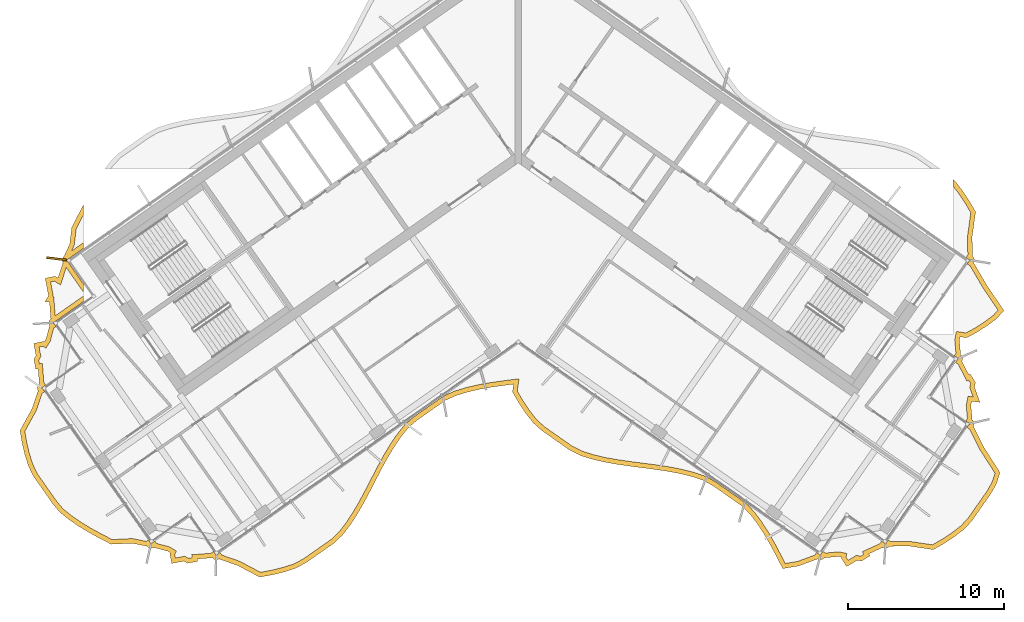
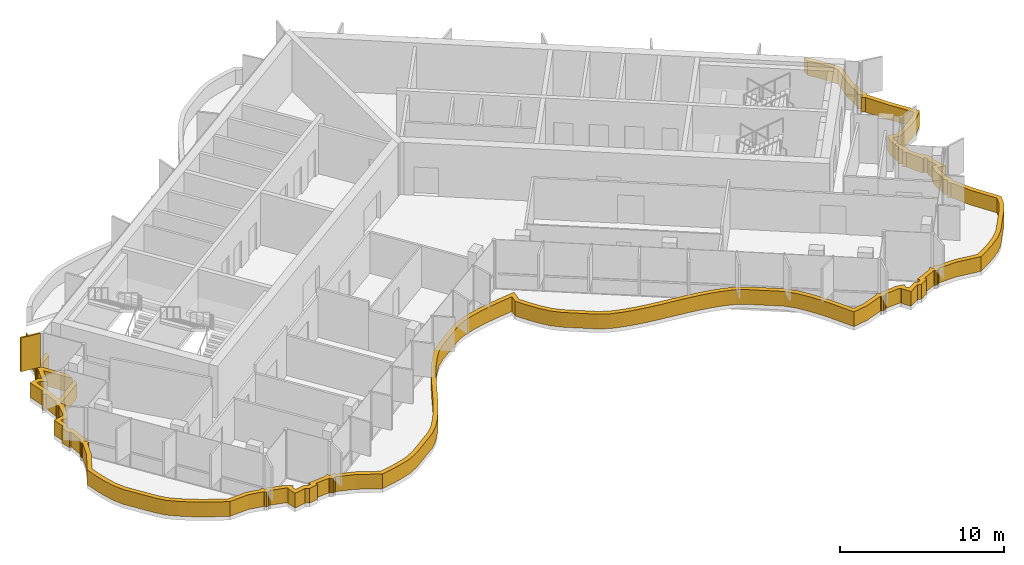
# One storey, part 14 of 18: 2 shading devices.
"""IFC4 building model written with IfcOpenShell, lengths in metres."""

from ifc_helpers import new_model, si_unit, direction, frame, origin, origin_2d, place, context, subcontext, project, spatial, polyline, rectangle, outline, extrude, material, layer, layer_set, type_object, element, save


model = new_model("IFC4")

# Units and contexts
model_context = context("Model", 3, precision=1e-05, world=origin(), true_north=direction((0.0, 1.0)))
body_context = subcontext(model_context, "Body", "Model", "MODEL_VIEW")
ifc_project = project(units=[si_unit("LENGTHUNIT", "METRE"), si_unit("AREAUNIT", "SQUARE_METRE"), si_unit("VOLUMEUNIT", "CUBIC_METRE"), si_unit("PLANEANGLEUNIT", "RADIAN"), si_unit("MASSUNIT", "GRAM", prefix="KILO")], contexts=[model_context])

# Site, building, storey
site_placement = place(None, origin())
site = spatial("IfcSite", under=ifc_project, at=site_placement, CompositionType="ELEMENT")
building_placement = place(site_placement, origin())
building = spatial("IfcBuilding", under=site, at=building_placement, Name="Tel Ilan Convention Tower", CompositionType="ELEMENT")
storey_placement = place(building_placement, frame((0.0, 0.0, 299.5)))
storey = spatial("IfcBuildingStorey", under=building, at=storey_placement, Name="L71", CompositionType="ELEMENT", Elevation=299.5)

# Shading devices
ifc_material_1 = material(Name="Aluminium, bronze anodised", Category="aluminium")
ifc_layer_1 = layer(ifc_material_1, 0.1201171875)
ifc_layer_set_1 = layer_set([ifc_layer_1], Name="FIN BRONZE 1300x120")
shading_device_type_1 = type_object("IfcShadingDeviceType", Name="FIN BRONZE 1300x120", PredefinedType="USERDEFINED", material=ifc_layer_set_1)
shading_device_1_placement = place(storey_placement, frame((-29.60595703125, -7.376953125, 1.10009765625), z_axis=(0.0, 0.0, 1.0), x_axis=(-0.992066016082, 0.125718016748, 0.0)))
element("IfcShadingDevice", 1, at=shading_device_1_placement, inside=storey, type_object=shading_device_type_1, Name="FIN", ObjectType="FIN", PredefinedType="USERDEFINED", context=body_context, shape_type="SweptSolid", body=[
    extrude(rectangle(XDim=1.300048828125, YDim=0.1201171875, at=origin_2d()), origin(), (0.0, 0.0, 1.0), 2.52001953125),
])
ifc_material_2 = material(Name="Aluminium, bronze anodised", Category="aluminium")
ifc_layer_2 = layer(ifc_material_2, 0.300048828125)
ifc_layer_set_2 = layer_set([ifc_layer_2], Name="LOUVRE BAND 300x1100")
shading_device_type_2 = type_object("IfcShadingDeviceType", Name="LOUVRE BAND 300x1100", PredefinedType="USERDEFINED", material=ifc_layer_set_2)
shading_device_2_placement = place(storey_placement, origin())
element("IfcShadingDevice", 2, at=shading_device_2_placement, inside=storey, type_object=shading_device_type_2, Name="LOUVRE BAND 54.01", ObjectType="LOUVRE", PredefinedType="USERDEFINED", context=body_context, shape_type="SweptSolid", body=[
    extrude(outline(polyline([(-31.176513671875, -16.968505859375), (-31.955078125, -18.389892578125), (-31.82470703125, -19.17431640625), (-31.646728515625, -19.92578125), (-31.42236328125, -20.644775390625), (-31.108154296875, -21.301025390625), (-29.873291015625, -23.064697265625), (-29.4140625, -23.619140625), (-28.832275390625, -24.087890625), (-28.201171875, -24.52197265625), (-27.530029296875, -24.92822265625), (-26.829833984375, -25.31396484375), (-26.1044921875, -25.68212890625), (-24.7607421875, -25.617431640625), (-23.79052734375, -25.81396484375), (-23.761474609375, -25.857421875), (-23.6640625, -25.92236328125), (-23.54931640625, -25.9453125), (-23.4345703125, -25.92236328125), (-23.380615234375, -25.88623046875), (-22.478759765625, -26.1279296875), (-22.322998046875, -26.222900390625), (-22.353271484375, -26.272705078125), (-22.220703125, -26.912353515625), (-21.43505859375, -26.76416015625), (-21.201171875, -26.90673828125), (-20.5615234375, -26.77392578125), (-20.58935546875, -26.627197265625), (-19.6123046875, -26.55078125), (-19.583251953125, -26.593994140625), (-19.486083984375, -26.6591796875), (-19.37109375, -26.681884765625), (-19.25634765625, -26.6591796875), (-19.202392578125, -26.623046875), (-18.00830078125, -27.0400390625), (-16.57958984375, -27.7919921875), (-15.780029296875, -27.645263671875), (-15.009521484375, -27.45751953125), (-14.274169921875, -27.219482421875), (-13.616943359375, -26.86962890625), (-11.80078125, -25.597900390625), (-11.26025390625, -25.08154296875), (-10.789306640625, -24.465576171875), (-10.352783203125, -23.800537109375), (-9.943359375, -23.09716796875), (-9.552001953125, -22.367431640625), (-8.785888671875, -20.885009765625), (-8.39111328125, -20.160400390625), (-7.97607421875, -19.464599609375), (-7.532470703125, -18.81005859375), (-7.052734375, -18.20654296875), (-6.48681640625, -17.7265625), (-4.670654296875, -16.454833984375), (-3.987060546875, -16.142822265625), (-3.242919921875, -15.9169921875), (-2.46533203125, -15.739501953125), (-1.66162109375, -15.598876953125), (-0.30078125, -15.41357421875), (-0.370361328125, -15.923828125), (0.041015625, -16.624755859375), (0.481201171875, -17.28466796875), (0.956298828125, -17.894287109375), (1.509765625, -18.392333984375), (3.325927734375, -19.663818359375), (3.99609375, -19.9951171875), (4.73583984375, -20.22705078125), (5.510009765625, -20.40966796875), (6.311279296875, -20.553955078125), (7.130615234375, -20.672119140625), (8.785888671875, -20.885009765625), (9.601806640625, -21.008056640625), (10.3974609375, -21.16015625), (11.16455078125, -21.353271484375), (11.8955078125, -21.59765625), (12.540283203125, -21.965087890625), (14.356201171875, -23.23681640625), (14.88330078125, -23.7724609375), (15.349853515625, -24.39453125), (15.782958984375, -25.064453125), (16.18994140625, -25.771728515625), (16.57958984375, -26.50341796875), (16.96240234375, -27.2451171875), (17.983642578125, -27.074951171875), (19.202392578125, -26.623046875), (19.25634765625, -26.6591796875), (19.37109375, -26.681884765625), (19.486083984375, -26.6591796875), (19.583251953125, -26.593994140625), (19.6123046875, -26.55078125), (20.542236328125, -26.469482421875), (20.72119140625, -26.50537109375), (20.709716796875, -26.5625), (21.052978515625, -27.1181640625), (21.740478515625, -26.710205078125), (22.00927734375, -26.76416015625), (22.564697265625, -26.420654296875), (22.488525390625, -26.292236328125), (23.380615234375, -25.88623046875), (23.4345703125, -25.92236328125), (23.54931640625, -25.9453125), (23.6640625, -25.92236328125), (23.761474609375, -25.857421875), (23.79052734375, -25.81396484375), (25.015625, -25.789306640625), (26.617919921875, -26.0283203125), (27.311767578125, -25.631591796875), (27.9609375, -25.203369140625), (28.5625, -24.741943359375), (29.068603515625, -24.213623046875), (30.31298828125, -22.436767578125), (30.669189453125, -21.803466796875), (30.8984375, -21.081298828125), (29.872314453125, -19.47998046875), (29.18212890625, -18.114013671875), (29.218017578125, -18.06005859375), (29.240966796875, -17.9453125), (29.218017578125, -17.830322265625), (29.153076171875, -17.733154296875), (29.10986328125, -17.7041015625), (29.028564453125, -16.774169921875), (29.080322265625, -16.5166015625), (29.61181640625, -16.583740234375), (29.26171875, -15.613037109375), (29.3232421875, -15.30712890625), (28.979736328125, -14.751708984375), (28.889404296875, -14.80517578125), (28.4453125, -13.935791015625), (28.4814453125, -13.8818359375), (28.504150390625, -13.76708984375), (28.4814453125, -13.652099609375), (28.416259765625, -13.554931640625), (28.373046875, -13.52587890625), (28.291748046875, -12.595947265625), (28.33642578125, -12.373291015625), (28.752685546875, -12.44189453125), (29.445068359375, -12.072265625), (30.077880859375, -11.660888671875), (30.66748046875, -11.218994140625), (31.151123046875, -10.703125), (30.056640625, -9.082275390625), (29.199951171875, -7.6279296875), (29.236083984375, -7.57373046875), (29.2587890625, -7.458984375), (29.236083984375, -7.34423828125), (29.1708984375, -7.246826171875), (29.127685546875, -7.218017578125), (29.10986328125, -5.95947265625), (29.331298828125, -4.35888671875), (28.922119140625, -3.659423828125), (28.48388671875, -3.001220703125), (28.0107421875, -2.392822265625), (27.874755859375, -2.269287109375), (27.874755859375, -2.70654296875), (28.240234375, -3.176513671875), (28.66748046875, -3.818359375), (29.02001953125, -4.420654296875), (28.809326171875, -5.941162109375), (28.829345703125, -7.12109375), (28.713134765625, -7.286865234375), (28.958740234375, -7.458984375), (28.787353515625, -7.705322265625), (28.97900390625, -7.83935546875), (29.802734375, -9.2421875), (30.7685546875, -10.672607421875), (30.466552734375, -10.99462890625), (29.906005859375, -11.414794921875), (29.292236328125, -11.813720703125), (28.701171875, -12.12939453125), (28.099365234375, -12.0302734375), (27.989013671875, -12.579833984375), (28.067626953125, -13.439208984375), (27.95849609375, -13.594970703125), (28.204345703125, -13.76708984375), (28.03271484375, -14.01318359375), (28.21630859375, -14.141845703125), (28.766845703125, -15.226806640625), (28.87939453125, -15.159912109375), (29.005859375, -15.3642578125), (28.951171875, -15.635986328125), (29.163330078125, -16.224853515625), (28.841064453125, -16.18408203125), (28.725830078125, -16.758056640625), (28.80419921875, -17.617431640625), (28.6953125, -17.773193359375), (28.94091796875, -17.9453125), (28.76953125, -18.19140625), (28.95263671875, -18.319580078125), (29.611328125, -19.62890625), (30.56982421875, -21.12451171875), (30.392578125, -21.68310546875), (30.05859375, -22.276611328125), (28.836181640625, -24.022705078125), (28.36181640625, -24.517822265625), (27.78662109375, -24.958740234375), (27.154541015625, -25.3759765625), (26.559326171875, -25.71630859375), (25.034423828125, -25.48876953125), (23.886474609375, -25.51513671875), (23.721435546875, -25.3994140625), (23.54931640625, -25.645263671875), (23.30322265625, -25.473876953125), (23.1787109375, -25.6513671875), (22.059326171875, -26.156982421875), (22.156494140625, -26.320556640625), (21.9521484375, -26.44677734375), (21.6865234375, -26.393310546875), (21.1533203125, -26.709716796875), (21.027099609375, -26.505615234375), (21.07421875, -26.2705078125), (20.558349609375, -26.166748046875), (19.698974609375, -26.245361328125), (19.543212890625, -26.13623046875), (19.37109375, -26.382080078125), (19.125, -26.21044921875), (19.00732421875, -26.378662109375), (17.90673828125, -26.78369140625), (17.12890625, -26.913330078125), (16.452392578125, -25.626220703125), (16.0390625, -24.908203125), (15.59619140625, -24.222900390625), (15.111328125, -23.576416015625), (14.55078125, -23.0068359375), (12.700927734375, -21.71142578125), (12.0185546875, -21.322509765625), (11.248779296875, -21.06494140625), (10.46240234375, -20.866943359375), (9.65234375, -20.712158203125), (8.827392578125, -20.587890625), (7.171142578125, -20.374755859375), (6.359375, -20.2578125), (5.571044921875, -20.11572265625), (4.815185546875, -19.9375), (4.108154296875, -19.7158203125), (3.479248046875, -19.405029296875), (1.697021484375, -18.156982421875), (1.1767578125, -17.68896484375), (0.724609375, -17.10888671875), (0.29541015625, -16.465576171875), (-0.05908203125, -15.861328125), (0.04931640625, -15.06640625), (-0.880615234375, -15.185546875), (-1.708251953125, -15.302490234375), (-2.5244140625, -15.4453125), (-3.320068359375, -15.626953125), (-4.09326171875, -15.861572265625), (-4.8203125, -16.193359375), (-6.670166015625, -17.48876953125), (-7.269287109375, -17.996826171875), (-7.7744140625, -18.632080078125), (-8.229248046875, -19.303466796875), (-8.65185546875, -20.01171875), (-9.05078125, -20.744384765625), (-9.817626953125, -22.227783203125), (-10.205322265625, -22.95068359375), (-10.608154296875, -23.642822265625), (-11.0341796875, -24.2919921875), (-11.484375, -24.880859375), (-11.991455078125, -25.365234375), (-13.77392578125, -26.61328125), (-14.3916015625, -26.942138671875), (-15.09130859375, -27.168701171875), (-15.8427734375, -27.351806640625), (-16.531494140625, -27.478271484375), (-17.888671875, -26.763916015625), (-19.009033203125, -26.3759765625), (-19.125, -26.21044921875), (-19.37109375, -26.382080078125), (-19.543212890625, -26.13623046875), (-19.721435546875, -26.260986328125), (-20.9462890625, -26.353271484375), (-20.910888671875, -26.5400390625), (-21.146240234375, -26.5888671875), (-21.37744140625, -26.447998046875), (-21.98681640625, -26.562744140625), (-22.03564453125, -26.32763671875), (-21.91064453125, -26.122802734375), (-22.360107421875, -25.84912109375), (-23.194580078125, -25.62890625), (-23.30322265625, -25.473876953125), (-23.54931640625, -25.645263671875), (-23.721435546875, -25.3994140625), (-23.861083984375, -25.497314453125), (-24.737060546875, -25.31591796875), (-26.03955078125, -25.378662109375), (-26.689453125, -25.048828125), (-27.3798828125, -24.66845703125), (-28.038330078125, -24.27001953125), (-28.65283203125, -23.84716796875), (-29.202392578125, -23.404541015625), (-29.634521484375, -22.882568359375), (-30.84814453125, -21.149169921875), (-31.142333984375, -20.534912109375), (-31.357177734375, -19.846435546875), (-31.5302734375, -19.115234375), (-31.64208984375, -18.44287109375), (-30.900634765625, -17.08935546875), (-30.539794921875, -16.0126953125), (-30.37548828125, -15.897705078125), (-30.546875, -15.651611328125), (-30.30126953125, -15.4794921875), (-30.426025390625, -15.30126953125), (-30.518310546875, -14.076416015625), (-30.705078125, -14.11181640625), (-30.75390625, -13.876708984375), (-30.613037109375, -13.645263671875), (-30.727783203125, -13.035888671875), (-30.49267578125, -12.9873046875), (-30.287841796875, -13.112060546875), (-30.01416015625, -12.66259765625), (-29.7939453125, -11.828125), (-29.63818359375, -11.71923828125), (-29.810302734375, -11.473388671875), (-27.874755859375, -10.1181640625), (-27.874755859375, -9.751953125), (-29.696533203125, -11.027587890625), (-29.7880859375, -9.810302734375), (-29.82568359375, -9.812744140625), (-29.814697265625, -9.793212890625), (-29.9912109375, -8.85791015625), (-29.756103515625, -8.80908203125), (-29.352783203125, -9.0546875), (-28.9892578125, -7.938720703125), (-27.874755859375, -9.530029296875), (-27.874755859375, -9.007080078125), (-28.958740234375, -7.458984375), (-27.874755859375, -6.699951171875), (-27.874755859375, -6.333740234375), (-28.640380859375, -6.869873046875), (-28.480224609375, -6.525634765625), (-28.343994140625, -5.44384765625), (-27.874755859375, -4.536376953125), (-27.874755859375, -3.881103515625), (-28.635009765625, -5.353271484375), (-28.772216796875, -6.441650390625), (-29.127685546875, -7.218017578125), (-29.1708984375, -7.246826171875), (-29.236083984375, -7.34423828125), (-29.2587890625, -7.458984375), (-29.236083984375, -7.57373046875), (-29.199951171875, -7.6279296875), (-29.5205078125, -8.60107421875), (-29.700927734375, -8.4912109375), (-30.340576171875, -8.6240234375), (-30.1298828125, -9.741455078125), (-30.358642578125, -10.1484375), (-30.06494140625, -10.129150390625), (-29.97900390625, -11.232421875), (-30.0224609375, -11.26123046875), (-30.08740234375, -11.358642578125), (-30.1103515625, -11.473388671875), (-30.08740234375, -11.588134765625), (-30.05126953125, -11.64208984375), (-30.29296875, -12.5439453125), (-30.387939453125, -12.69970703125), (-30.437744140625, -12.66943359375), (-31.0771484375, -12.80224609375), (-30.92919921875, -13.587646484375), (-31.07177734375, -13.821533203125), (-30.93896484375, -14.461181640625), (-30.792236328125, -14.433349609375), (-30.7158203125, -15.410400390625), (-30.759033203125, -15.439453125), (-30.82421875, -15.536865234375), (-30.846923828125, -15.651611328125), (-30.82421875, -15.766357421875), (-30.7880859375, -15.8203125), (-31.176513671875, -16.968505859375)])), origin(), (0.0, 0.0, 1.0), 1.10009765625),
])

save(model, "model.ifc")
